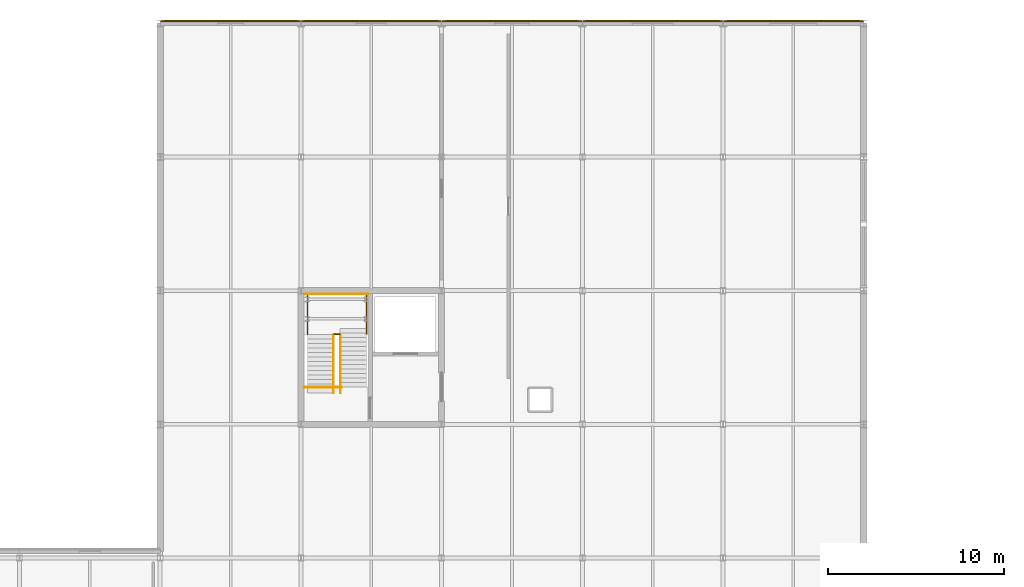
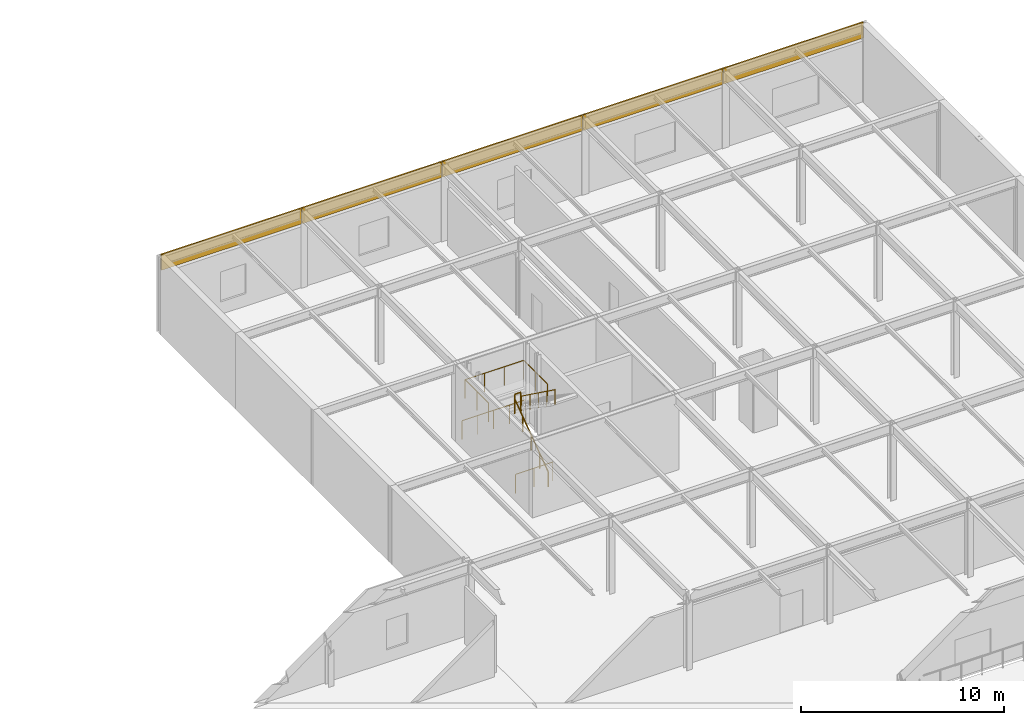
# One storey, part 99 of 100: 6 railings, 5 coverings.
"""IFC4 building model written with IfcOpenShell, lengths in metres."""

from ifc_helpers import new_model, si_unit, direction, frame, origin, origin_2d, place, context, subcontext, project, spatial, rectangle, circle, extrude, material, layer, layer_set, type_object, element, save


model = new_model("IFC4")

# Units and contexts
model_context = context("Model", 3, precision=1e-05, world=origin(), true_north=direction((0.0, 1.0)))
body_context = subcontext(model_context, "Body", "Model", "MODEL_VIEW")
ifc_project = project(units=[si_unit("LENGTHUNIT", "METRE"), si_unit("AREAUNIT", "SQUARE_METRE"), si_unit("VOLUMEUNIT", "CUBIC_METRE"), si_unit("PLANEANGLEUNIT", "RADIAN"), si_unit("MASSUNIT", "GRAM", prefix="KILO")], contexts=[model_context])

# Site, building, storey
site_placement = place(None, origin())
site = spatial("IfcSite", under=ifc_project, at=site_placement, CompositionType="ELEMENT")
building_placement = place(site_placement, origin())
building = spatial("IfcBuilding", under=site, at=building_placement, Name="Zulena Civic Courthouse", CompositionType="ELEMENT")
storey_placement = place(building_placement, frame((0.0, 0.0, 20.39990234375)))
storey = spatial("IfcBuildingStorey", under=building, at=storey_placement, Name="L04", CompositionType="ELEMENT", Elevation=20.39990234375)

# Railings
ifc_material_1 = material(Name="Brushed architectural steel ASTM A36", Category="steel")
railing_type_1 = type_object("IfcRailingType", Name="InteriorGuardrail_1150", PredefinedType="GUARDRAIL", material=ifc_material_1)
railing_1_placement = place(storey_placement, frame((76.199951171875, 75.81005859375, 0.0)))
element("IfcRailing", 1, at=railing_1_placement, inside=storey, type_object=railing_type_1, Name="gr:wellN:K5B:L03", PredefinedType="GUARDRAIL", context=body_context, shape_type="SweptSolid", body=[
    extrude(circle(Radius=0.02392578125, at=origin_2d()), frame((0.00390625, 0.0, 1.1259765625), z_axis=(1.0, 0.0, 0.0), x_axis=(0.0, 1.0, 0.0)), (0.0, 0.0, 1.0), 3.592041015625),
    extrude(circle(Radius=0.02099609375, at=origin_2d()), origin(), (0.0, 0.0, 1.0), 1.097900390625),
    extrude(circle(Radius=0.02099609375, at=origin_2d()), frame((0.89990234375, 0.0, 0.0)), (0.0, 0.0, 1.0), 1.097900390625),
    extrude(circle(Radius=0.02099609375, at=origin_2d()), frame((1.800048828125, 0.0, 0.0)), (0.0, 0.0, 1.0), 1.097900390625),
    extrude(circle(Radius=0.02099609375, at=origin_2d()), frame((2.7001953125, 0.0, 0.0)), (0.0, 0.0, 1.0), 1.097900390625),
    extrude(circle(Radius=0.02099609375, at=origin_2d()), frame((3.60009765625, 0.0, 0.0)), (0.0, 0.0, 1.0), 1.097900390625),
])
railing_2_placement = place(storey_placement, frame((76.179931640625, 70.5, 0.0)))
element("IfcRailing", 2, at=railing_2_placement, inside=storey, type_object=railing_type_1, Name="gr:wells:K5B:L04", PredefinedType="GUARDRAIL", context=body_context, shape_type="SweptSolid", body=[
    extrude(circle(Radius=0.02392578125, at=origin_2d()), frame((0.00390625, 0.0, 1.1259765625), z_axis=(1.0, 0.0, 0.0), x_axis=(0.0, 1.0, 0.0)), (0.0, 0.0, 1.0), 2.112060546875),
    extrude(circle(Radius=0.02099609375, at=origin_2d()), origin(), (0.0, 0.0, 1.0), 1.097900390625),
    extrude(circle(Radius=0.02099609375, at=origin_2d()), frame((1.06005859375, 0.0, 0.0)), (0.0, 0.0, 1.0), 1.097900390625),
    extrude(circle(Radius=0.02099609375, at=origin_2d()), frame((2.1201171875, 0.0, 0.0)), (0.0, 0.0, 1.0), 1.097900390625),
])
railing_3_placement = place(storey_placement, frame((76.3798828125, 73.49462890625, 2.400146484375)))
element("IfcRailing", 3, at=railing_3_placement, inside=storey, type_object=railing_type_1, Name="gr:lnd:K5B:L04", PredefinedType="GUARDRAIL", context=body_context, shape_type="SweptSolid", body=[
    extrude(circle(Radius=0.02392578125, at=origin_2d()), frame((0.0, 0.00390625, 1.1259765625), z_axis=(0.0, 1.0, 0.0), x_axis=(-1.0, 0.0, 0.0)), (0.0, 0.0, 1.0), 2.3173828125),
    extrude(circle(Radius=0.02392578125, at=origin_2d()), frame((0.00390625, 2.325439453125, 1.1259765625), z_axis=(1.0, 0.0, 0.0), x_axis=(0.0, 1.0, 0.0)), (0.0, 0.0, 1.0), 3.33203125),
    extrude(circle(Radius=0.02392578125, at=origin_2d()), frame((3.340087890625, 2.321533203125, 1.1259765625), z_axis=(0.0, -1.0, 0.0), x_axis=(1.0, 0.0, 0.0)), (0.0, 0.0, 1.0), 2.3173828125),
    extrude(circle(Radius=0.02099609375, at=origin_2d()), origin(), (0.0, 0.0, 1.0), 1.097900390625),
    extrude(circle(Radius=0.02099609375, at=origin_2d()), frame((0.0, 1.16259765625, 0.0)), (0.0, 0.0, 1.0), 1.097900390625),
    extrude(circle(Radius=0.02099609375, at=origin_2d()), frame((0.0, 2.325439453125, 0.0)), (0.0, 0.0, 1.0), 1.097900390625),
    extrude(circle(Radius=0.02099609375, at=origin_2d()), frame((1.11328125, 2.325439453125, 0.0)), (0.0, 0.0, 1.0), 1.097900390625),
    extrude(circle(Radius=0.02099609375, at=origin_2d()), frame((2.226806640625, 2.325439453125, 0.0)), (0.0, 0.0, 1.0), 1.097900390625),
    extrude(circle(Radius=0.02099609375, at=origin_2d()), frame((3.340087890625, 2.325439453125, 0.0)), (0.0, 0.0, 1.0), 1.097900390625),
    extrude(circle(Radius=0.02099609375, at=origin_2d()), frame((3.340087890625, 1.16259765625, 0.0)), (0.0, 0.0, 1.0), 1.097900390625),
    extrude(circle(Radius=0.02099609375, at=origin_2d()), frame((3.340087890625, 0.0, 0.0)), (0.0, 0.0, 1.0), 1.097900390625),
])
railing_4_placement = place(storey_placement, frame((77.8798828125, 73.514892578125, 2.400146484375)))
element("IfcRailing", 4, at=railing_4_placement, inside=storey, type_object=railing_type_1, Name="gr:lndslot:K5B:L04", PredefinedType="GUARDRAIL", context=body_context, shape_type="SweptSolid", body=[
    extrude(circle(Radius=0.02392578125, at=origin_2d()), frame((0.00390625, 0.0, 1.1259765625), z_axis=(1.0, 0.0, 0.0), x_axis=(0.0, 1.0, 0.0)), (0.0, 0.0, 1.0), 0.33203125),
    extrude(circle(Radius=0.02099609375, at=origin_2d()), origin(), (0.0, 0.0, 1.0), 1.097900390625),
    extrude(circle(Radius=0.02099609375, at=origin_2d()), frame((0.340087890625, 0.0, 0.0)), (0.0, 0.0, 1.0), 1.097900390625),
])

# Coverings
ifc_material_2 = material(Name="White architectural precast concrete C40/50", Category="concrete")
ifc_layer = layer(ifc_material_2, 0.0849609375)
ifc_layer_set = layer_set([ifc_layer], Name="White architectural precast concrete C40/50")
covering_type = type_object("IfcCoveringType", Name="PrecastSpandrelCladding_85", PredefinedType="CLADDING", material=ifc_layer_set)
for number, where, z_axis, x_axis, name in (
    (5, (72.0, 91.320068359375, 3.66015625), (0.0, 0.0, 1.0), (1.0, 0.0, 0.0), "clad:sp:V5:L04:3:0"),
    (6, (80.0, 91.320068359375, 3.66015625), (0.0, 0.0, 1.0), (1.0, 0.0, 0.0), "clad:sp:V5:L04:3:1"),
    (7, (88.0, 91.320068359375, 3.66015625), (0.0, 0.0, 1.0), (1.0, 0.0, 0.0), "clad:sp:V5:L04:3:2"),
    (8, (96.0, 91.320068359375, 3.66015625), (0.0, 0.0, 1.0), (1.0, 0.0, 0.0), "clad:sp:V5:L04:3:3"),
    (9, (104.0, 91.320068359375, 3.66015625), (0.0, 0.0, 1.0), (1.0, 0.0, 0.0), "clad:sp:V5:L04:3:4"),
):
    element("IfcCovering", number, at=place(storey_placement, frame(where, z_axis=z_axis, x_axis=x_axis)), inside=storey, type_object=covering_type, Name=name, PredefinedType="CLADDING", context=body_context, shape_type="SweptSolid", body=[
        extrude(rectangle(XDim=7.9599609375, YDim=0.0849609375, at=origin_2d()), origin(), (0.0, 0.0, 1.0), 0.93994140625),
    ])

# Railings
railing_type_2 = type_object("IfcRailingType", Name="StairHandrail_920", PredefinedType="HANDRAIL", material=ifc_material_1)
railing_5_placement = place(storey_placement, frame((77.85009765625, 70.179931640625, 0.0)))
element("IfcRailing", 10, at=railing_5_placement, inside=storey, type_object=railing_type_2, Name="hr:K5B:L04:1", PredefinedType="HANDRAIL", context=body_context, shape_type="SweptSolid", body=[
    extrude(circle(Radius=0.02392578125, at=origin_2d()), frame((0.0, 0.003173828125, 0.898193359375), z_axis=(0.0, 0.809959711079, 0.586485521074), x_axis=(-1.0, 0.0, 0.0)), (0.0, 0.0, 1.0), 4.08447265625),
    extrude(circle(Radius=0.02099609375, at=origin_2d()), origin(), (0.0, 0.0, 1.0), 0.867919921875),
    extrude(circle(Radius=0.02099609375, at=origin_2d()), frame((0.0, 0.82861328125, 0.60009765625)), (0.0, 0.0, 1.0), 0.867919921875),
    extrude(circle(Radius=0.02099609375, at=origin_2d()), frame((0.0, 1.6572265625, 1.2001953125)), (0.0, 0.0, 1.0), 0.867919921875),
    extrude(circle(Radius=0.02099609375, at=origin_2d()), frame((0.0, 2.486083984375, 1.800048828125)), (0.0, 0.0, 1.0), 0.867919921875),
    extrude(circle(Radius=0.02099609375, at=origin_2d()), frame((0.0, 3.314697265625, 2.400146484375)), (0.0, 0.0, 1.0), 0.867919921875),
])
railing_6_placement = place(storey_placement, frame((78.25, 73.49462890625, 2.400146484375)))
element("IfcRailing", 11, at=railing_6_placement, inside=storey, type_object=railing_type_2, Name="hr:K5B:L04:2", PredefinedType="HANDRAIL", context=body_context, shape_type="SweptSolid", body=[
    extrude(circle(Radius=0.02392578125, at=origin_2d()), frame((0.0, -0.003173828125, 0.898193359375), z_axis=(0.0, -0.80998804985, 0.586446382119), x_axis=(1.0, 0.0, 0.0)), (0.0, 0.0, 1.0), 4.084228515625),
    extrude(circle(Radius=0.02099609375, at=origin_2d()), origin(), (0.0, 0.0, 1.0), 0.867919921875),
    extrude(circle(Radius=0.02099609375, at=origin_2d()), frame((0.0, -0.82861328125, 0.60009765625)), (0.0, 0.0, 1.0), 0.867919921875),
    extrude(circle(Radius=0.02099609375, at=origin_2d()), frame((0.0, -1.6572265625, 1.199951171875)), (0.0, 0.0, 1.0), 0.867919921875),
    extrude(circle(Radius=0.02099609375, at=origin_2d()), frame((0.0, -2.486083984375, 1.7998046875)), (0.0, 0.0, 1.0), 0.867919921875),
    extrude(circle(Radius=0.02099609375, at=origin_2d()), frame((0.0, -3.314697265625, 2.39990234375)), (0.0, 0.0, 1.0), 0.867919921875),
])

save(model, "model.ifc")
